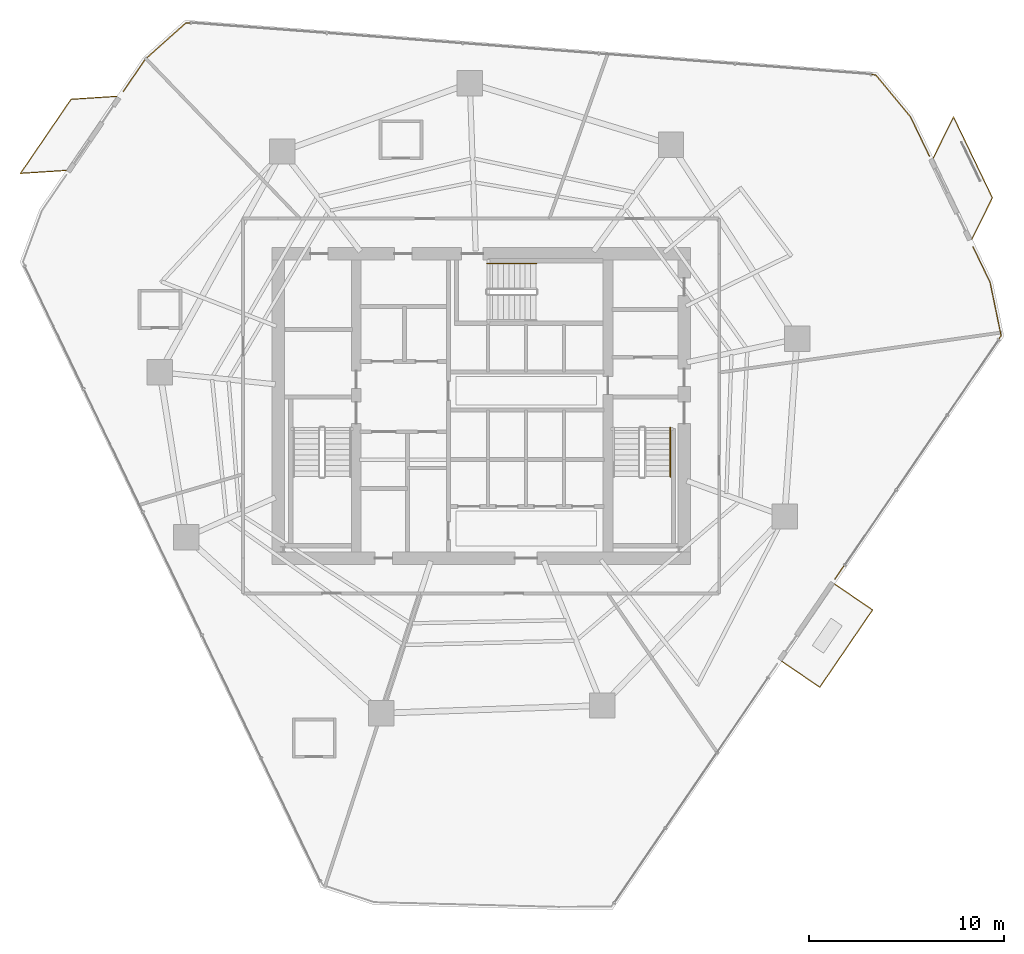
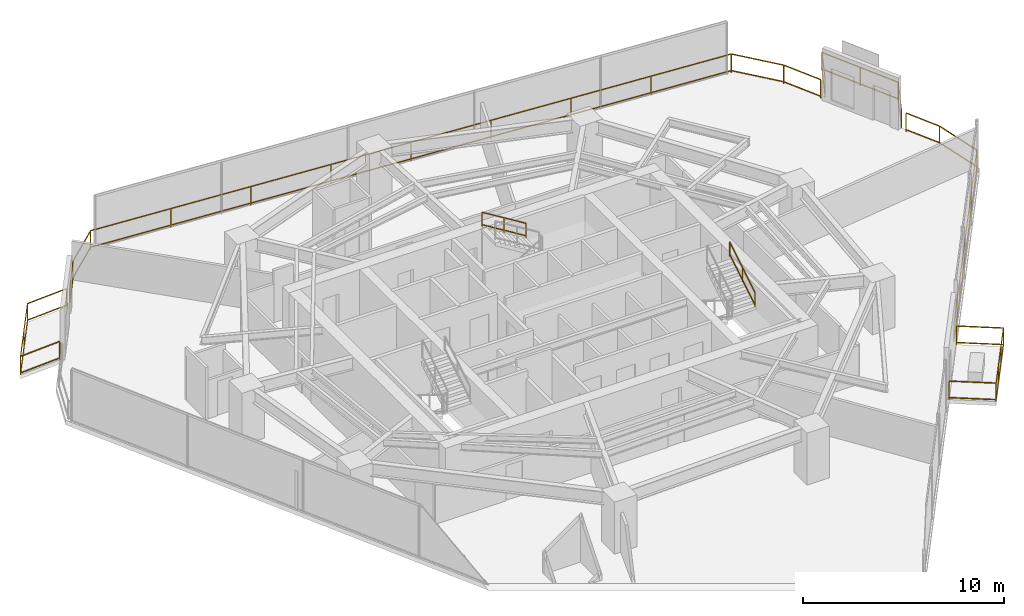
# One storey, part 30 of 30: 8 railings.
"""IFC4 building model written with IfcOpenShell, lengths in metres."""

from ifc_helpers import new_model, si_unit, direction, frame, origin, origin_2d, place, context, subcontext, project, spatial, rectangle, extrude, material, type_object, element, save


model = new_model("IFC4")

# Units and contexts
model_context = context("Model", 3, precision=1e-05, world=origin(), true_north=direction((0.0, 1.0)))
body_context = subcontext(model_context, "Body", "Model", "MODEL_VIEW")
ifc_project = project(units=[si_unit("LENGTHUNIT", "METRE"), si_unit("AREAUNIT", "SQUARE_METRE"), si_unit("VOLUMEUNIT", "CUBIC_METRE"), si_unit("PLANEANGLEUNIT", "RADIAN"), si_unit("MASSUNIT", "GRAM", prefix="KILO")], contexts=[model_context])

# Site, building, storey
site_placement = place(None, origin())
site = spatial("IfcSite", under=ifc_project, at=site_placement, CompositionType="ELEMENT")
building_placement = place(site_placement, origin())
building = spatial("IfcBuilding", under=site, at=building_placement, Name="Qarnah Convention Tower", CompositionType="ELEMENT")
storey_placement = place(building_placement, frame((0.0, 0.0, 51.14990234375)))
storey = spatial("IfcBuildingStorey", under=building, at=storey_placement, Name="L12", CompositionType="ELEMENT", Elevation=51.14990234375)

# Railings
ifc_material_1 = material(Name="Black anodised aluminium", Category="aluminium")
railing_type_1 = type_object("IfcRailingType", Name="RL-EXT-GUARD-1150", PredefinedType="GUARDRAIL", material=ifc_material_1)
railing_1_placement = place(storey_placement, frame((59.198974609375, 41.217041015625, 0.0)))
element("IfcRailing", 1, at=railing_1_placement, inside=storey, type_object=railing_type_1, Name="L12 slab-edge perimeter safety guard 01", PredefinedType="GUARDRAIL", context=body_context, shape_type="SweptSolid", body=[
    extrude(rectangle(XDim=0.048095703125, YDim=0.048095703125, at=origin_2d()), frame((0.0, 0.0, 1.1259765625), z_axis=(0.433374757304, -0.901213803563, 0.0), x_axis=(0.901213803563, 0.433374757304, 0.0)), (0.0, 0.0, 1.0), 2.2314453125),
    extrude(rectangle(XDim=0.048095703125, YDim=0.048095703125, at=origin_2d()), frame((0.0, 0.0, 0.1201171875), z_axis=(0.433374757304, -0.901213803563, 0.0), x_axis=(0.901213803563, 0.433374757304, 0.0)), (0.0, 0.0, 1.0), 2.2314453125),
    extrude(rectangle(XDim=0.0419921875, YDim=0.0419921875, at=origin_2d()), origin(), (0.0, 0.0, 1.0), 1.101806640625),
    extrude(rectangle(XDim=0.0419921875, YDim=0.0419921875, at=origin_2d()), frame((0.967041015625, -2.010986328125, 0.0)), (0.0, 0.0, 1.0), 1.101806640625),
])
railing_2_placement = place(storey_placement, frame((62.402099609375, 34.556884765625, 0.0)))
element("IfcRailing", 2, at=railing_2_placement, inside=storey, type_object=railing_type_1, Name="L12 slab-edge perimeter safety guard 02", PredefinedType="GUARDRAIL", context=body_context, shape_type="SweptSolid", body=[
    extrude(rectangle(XDim=0.048095703125, YDim=0.048095703125, at=origin_2d()), frame((0.0, 0.0, 1.1259765625), z_axis=(0.433328429261, -0.901236080277, 0.0), x_axis=(0.901236080277, 0.433328429261, 0.0)), (0.0, 0.0, 1.0), 2.019287109375),
    extrude(rectangle(XDim=0.048095703125, YDim=0.048095703125, at=origin_2d()), frame((0.0, 0.0, 0.1201171875), z_axis=(0.433328429261, -0.901236080277, 0.0), x_axis=(0.901236080277, 0.433328429261, 0.0)), (0.0, 0.0, 1.0), 2.019287109375),
    extrude(rectangle(XDim=0.048095703125, YDim=0.048095703125, at=origin_2d()), frame((0.875, -1.81982421875, 1.1259765625), z_axis=(0.202420473545, -0.979298704119, 0.0), x_axis=(0.979298704119, 0.202420473545, 0.0)), (0.0, 0.0, 1.0), 2.791015625),
    extrude(rectangle(XDim=0.048095703125, YDim=0.048095703125, at=origin_2d()), frame((0.875, -1.81982421875, 0.1201171875), z_axis=(0.202420473545, -0.979298704119, 0.0), x_axis=(0.979298704119, 0.202420473545, 0.0)), (0.0, 0.0, 1.0), 2.791015625),
    extrude(rectangle(XDim=0.048095703125, YDim=0.048095703125, at=origin_2d()), frame((1.43994140625, -4.552978515625, 1.1259765625), z_axis=(-0.563850021746, -0.825877202117, 0.0), x_axis=(0.825877202117, -0.563850021746, 0.0)), (0.0, 0.0, 1.0), 15.097900390625),
    extrude(rectangle(XDim=0.048095703125, YDim=0.048095703125, at=origin_2d()), frame((1.43994140625, -4.552978515625, 0.1201171875), z_axis=(-0.563850021746, -0.825877202117, 0.0), x_axis=(0.825877202117, -0.563850021746, 0.0)), (0.0, 0.0, 1.0), 15.097900390625),
    extrude(rectangle(XDim=0.0419921875, YDim=0.0419921875, at=origin_2d()), origin(), (0.0, 0.0, 1.0), 1.101806640625),
    extrude(rectangle(XDim=0.0419921875, YDim=0.0419921875, at=origin_2d()), frame((0.875, -1.81982421875, 0.0)), (0.0, 0.0, 1.0), 1.101806640625),
    extrude(rectangle(XDim=0.0419921875, YDim=0.0419921875, at=origin_2d()), frame((1.43994140625, -4.552978515625, 0.0)), (0.0, 0.0, 1.0), 1.101806640625),
    extrude(rectangle(XDim=0.0419921875, YDim=0.0419921875, at=origin_2d()), frame((-0.688232421875, -7.670166015625, 0.0)), (0.0, 0.0, 1.0), 1.101806640625),
    extrude(rectangle(XDim=0.0419921875, YDim=0.0419921875, at=origin_2d()), frame((-2.81640625, -10.78759765625, 0.0)), (0.0, 0.0, 1.0), 1.101806640625),
    extrude(rectangle(XDim=0.0419921875, YDim=0.0419921875, at=origin_2d()), frame((-4.94482421875, -13.90478515625, 0.0)), (0.0, 0.0, 1.0), 1.101806640625),
    extrude(rectangle(XDim=0.0419921875, YDim=0.0419921875, at=origin_2d()), frame((-7.072998046875, -17.02197265625, 0.0)), (0.0, 0.0, 1.0), 1.101806640625),
])
railing_3_placement = place(storey_placement, frame((18.860107421875, 42.510009765625, 0.0)))
element("IfcRailing", 3, at=railing_3_placement, inside=storey, type_object=railing_type_1, Name="L12 slab-edge perimeter safety guard 04", PredefinedType="GUARDRAIL", context=body_context, shape_type="SweptSolid", body=[
    extrude(rectangle(XDim=0.048095703125, YDim=0.048095703125, at=origin_2d()), frame((0.0, 0.0, 1.1259765625), z_axis=(0.563899317218, 0.82584354453, 0.0), x_axis=(-0.82584354453, 0.563899317218, 0.0)), (0.0, 0.0, 1.0), 2.019775390625),
    extrude(rectangle(XDim=0.048095703125, YDim=0.048095703125, at=origin_2d()), frame((0.0, 0.0, 0.1201171875), z_axis=(0.563899317218, 0.82584354453, 0.0), x_axis=(-0.82584354453, 0.563899317218, 0.0)), (0.0, 0.0, 1.0), 2.019775390625),
    extrude(rectangle(XDim=0.048095703125, YDim=0.048095703125, at=origin_2d()), frame((1.138916015625, 1.66796875, 1.1259765625), z_axis=(0.746781498679, 0.665069464967, 0.0), x_axis=(-0.665069464967, 0.746781498679, 0.0)), (0.0, 0.0, 1.0), 2.79052734375),
    extrude(rectangle(XDim=0.048095703125, YDim=0.048095703125, at=origin_2d()), frame((1.138916015625, 1.66796875, 0.1201171875), z_axis=(0.746781498679, 0.665069464967, 0.0), x_axis=(-0.665069464967, 0.746781498679, 0.0)), (0.0, 0.0, 1.0), 2.79052734375),
    extrude(rectangle(XDim=0.048095703125, YDim=0.048095703125, at=origin_2d()), frame((3.222900390625, 3.52392578125, 1.1259765625), z_axis=(0.997159553161, -0.075318162087, 0.0), x_axis=(0.075318162087, 0.997159553161, 0.0)), (0.0, 0.0, 1.0), 35.435546875),
    extrude(rectangle(XDim=0.048095703125, YDim=0.048095703125, at=origin_2d()), frame((3.222900390625, 3.52392578125, 0.1201171875), z_axis=(0.997159553161, -0.075318162087, 0.0), x_axis=(0.075318162087, 0.997159553161, 0.0)), (0.0, 0.0, 1.0), 35.435546875),
    extrude(rectangle(XDim=0.048095703125, YDim=0.048095703125, at=origin_2d()), frame((38.557861328125, 0.85498046875, 1.1259765625), z_axis=(0.638289082152, -0.769796757337, 0.0), x_axis=(0.769796757337, 0.638289082152, 0.0)), (0.0, 0.0, 1.0), 2.790283203125),
    extrude(rectangle(XDim=0.048095703125, YDim=0.048095703125, at=origin_2d()), frame((38.557861328125, 0.85498046875, 0.1201171875), z_axis=(0.638289082152, -0.769796757337, 0.0), x_axis=(0.769796757337, 0.638289082152, 0.0)), (0.0, 0.0, 1.0), 2.790283203125),
    extrude(rectangle(XDim=0.0419921875, YDim=0.0419921875, at=origin_2d()), origin(), (0.0, 0.0, 1.0), 1.101806640625),
    extrude(rectangle(XDim=0.0419921875, YDim=0.0419921875, at=origin_2d()), frame((1.138916015625, 1.66796875, 0.0)), (0.0, 0.0, 1.0), 1.101806640625),
    extrude(rectangle(XDim=0.0419921875, YDim=0.0419921875, at=origin_2d()), frame((3.222900390625, 3.52392578125, 0.0)), (0.0, 0.0, 1.0), 1.101806640625),
    extrude(rectangle(XDim=0.0419921875, YDim=0.0419921875, at=origin_2d()), frame((7.6396484375, 3.1904296875, 0.0)), (0.0, 0.0, 1.0), 1.101806640625),
    extrude(rectangle(XDim=0.0419921875, YDim=0.0419921875, at=origin_2d()), frame((12.056640625, 2.856689453125, 0.0)), (0.0, 0.0, 1.0), 1.101806640625),
    extrude(rectangle(XDim=0.0419921875, YDim=0.0419921875, at=origin_2d()), frame((16.4736328125, 2.52294921875, 0.0)), (0.0, 0.0, 1.0), 1.101806640625),
    extrude(rectangle(XDim=0.0419921875, YDim=0.0419921875, at=origin_2d()), frame((20.890380859375, 2.189453125, 0.0)), (0.0, 0.0, 1.0), 1.101806640625),
    extrude(rectangle(XDim=0.0419921875, YDim=0.0419921875, at=origin_2d()), frame((25.30712890625, 1.85595703125, 0.0)), (0.0, 0.0, 1.0), 1.101806640625),
    extrude(rectangle(XDim=0.0419921875, YDim=0.0419921875, at=origin_2d()), frame((29.72412109375, 1.522216796875, 0.0)), (0.0, 0.0, 1.0), 1.101806640625),
    extrude(rectangle(XDim=0.0419921875, YDim=0.0419921875, at=origin_2d()), frame((34.14111328125, 1.1884765625, 0.0)), (0.0, 0.0, 1.0), 1.101806640625),
    extrude(rectangle(XDim=0.0419921875, YDim=0.0419921875, at=origin_2d()), frame((38.557861328125, 0.85498046875, 0.0)), (0.0, 0.0, 1.0), 1.101806640625),
    extrude(rectangle(XDim=0.0419921875, YDim=0.0419921875, at=origin_2d()), frame((40.3388671875, -1.29296875, 0.0)), (0.0, 0.0, 1.0), 1.101806640625),
])
railing_4_placement = place(storey_placement, frame((60.363037109375, 39.10791015625, 0.0)))
element("IfcRailing", 4, at=railing_4_placement, inside=storey, type_object=railing_type_1, Name="L12 balcony safety guard BAL-L12-C1", PredefinedType="GUARDRAIL", context=body_context, shape_type="SweptSolid", body=[
    extrude(rectangle(XDim=0.048095703125, YDim=0.048095703125, at=origin_2d()), frame((0.0, 0.0, 1.1259765625), z_axis=(0.443465596274, 0.896291395095, 0.0), x_axis=(-0.896291395095, 0.443465596274, 0.0)), (0.0, 0.0, 1.0), 2.347412109375),
    extrude(rectangle(XDim=0.048095703125, YDim=0.048095703125, at=origin_2d()), frame((0.0, 0.0, 0.1201171875), z_axis=(0.443465596274, 0.896291395095, 0.0), x_axis=(-0.896291395095, 0.443465596274, 0.0)), (0.0, 0.0, 1.0), 2.347412109375),
    extrude(rectangle(XDim=0.048095703125, YDim=0.048095703125, at=origin_2d()), frame((1.041015625, 2.10400390625, 1.1259765625), z_axis=(0.433488433153, -0.901159130411, 0.0), x_axis=(0.901159130411, 0.433488433153, 0.0)), (0.0, 0.0, 1.0), 4.599609375),
    extrude(rectangle(XDim=0.048095703125, YDim=0.048095703125, at=origin_2d()), frame((1.041015625, 2.10400390625, 0.1201171875), z_axis=(0.433488433153, -0.901159130411, 0.0), x_axis=(0.901159130411, 0.433488433153, 0.0)), (0.0, 0.0, 1.0), 4.599609375),
    extrude(rectangle(XDim=0.048095703125, YDim=0.048095703125, at=origin_2d()), frame((3.034912109375, -2.041015625, 1.1259765625), z_axis=(-0.443300297439, -0.896373162411, 0.0), x_axis=(0.896373162411, -0.443300297439, 0.0)), (0.0, 0.0, 1.0), 2.348388671875),
    extrude(rectangle(XDim=0.048095703125, YDim=0.048095703125, at=origin_2d()), frame((3.034912109375, -2.041015625, 0.1201171875), z_axis=(-0.443300297439, -0.896373162411, 0.0), x_axis=(0.896373162411, -0.443300297439, 0.0)), (0.0, 0.0, 1.0), 2.348388671875),
    extrude(rectangle(XDim=0.0419921875, YDim=0.0419921875, at=origin_2d()), origin(), (0.0, 0.0, 1.0), 1.101806640625),
    extrude(rectangle(XDim=0.0419921875, YDim=0.0419921875, at=origin_2d()), frame((1.041015625, 2.10400390625, 0.0)), (0.0, 0.0, 1.0), 1.101806640625),
    extrude(rectangle(XDim=0.0419921875, YDim=0.0419921875, at=origin_2d()), frame((2.0380859375, 0.031494140625, 0.0)), (0.0, 0.0, 1.0), 1.101806640625),
    extrude(rectangle(XDim=0.0419921875, YDim=0.0419921875, at=origin_2d()), frame((3.034912109375, -2.041015625, 0.0)), (0.0, 0.0, 1.0), 1.101806640625),
    extrude(rectangle(XDim=0.0419921875, YDim=0.0419921875, at=origin_2d()), frame((1.993896484375, -4.14599609375, 0.0)), (0.0, 0.0, 1.0), 1.101806640625),
])
railing_5_placement = place(storey_placement, frame((15.93798828125, 38.468994140625, 0.0)))
element("IfcRailing", 5, at=railing_5_placement, inside=storey, type_object=railing_type_1, Name="L12 balcony safety guard BAL-L12-C2", PredefinedType="GUARDRAIL", context=body_context, shape_type="SweptSolid", body=[
    extrude(rectangle(XDim=0.048095703125, YDim=0.048095703125, at=origin_2d()), frame((0.0, 0.0, 1.1259765625), z_axis=(-0.997933060104, -0.064262022626, 0.0), x_axis=(0.064262022626, -0.997933060104, 0.0)), (0.0, 0.0, 1.0), 2.347900390625),
    extrude(rectangle(XDim=0.048095703125, YDim=0.048095703125, at=origin_2d()), frame((0.0, 0.0, 0.1201171875), z_axis=(-0.997933060104, -0.064262022626, 0.0), x_axis=(0.064262022626, -0.997933060104, 0.0)), (0.0, 0.0, 1.0), 2.347900390625),
    extrude(rectangle(XDim=0.048095703125, YDim=0.048095703125, at=origin_2d()), frame((-2.343017578125, -0.15087890625, 1.1259765625), z_axis=(0.563768279765, 0.825933003779, 0.0), x_axis=(-0.825933003779, 0.563768279765, 0.0)), (0.0, 0.0, 1.0), 4.599365234375),
    extrude(rectangle(XDim=0.048095703125, YDim=0.048095703125, at=origin_2d()), frame((-2.343017578125, -0.15087890625, 0.1201171875), z_axis=(0.563768279765, 0.825933003779, 0.0), x_axis=(-0.825933003779, 0.563768279765, 0.0)), (0.0, 0.0, 1.0), 4.599365234375),
    extrude(rectangle(XDim=0.048095703125, YDim=0.048095703125, at=origin_2d()), frame((0.25, 3.64794921875, 1.1259765625), z_axis=(0.997926386374, 0.064365576031, 0.0), x_axis=(-0.064365576031, 0.997926386374, 0.0)), (0.0, 0.0, 1.0), 2.347900390625),
    extrude(rectangle(XDim=0.048095703125, YDim=0.048095703125, at=origin_2d()), frame((0.25, 3.64794921875, 0.1201171875), z_axis=(0.997926386374, 0.064365576031, 0.0), x_axis=(-0.064365576031, 0.997926386374, 0.0)), (0.0, 0.0, 1.0), 2.347900390625),
    extrude(rectangle(XDim=0.0419921875, YDim=0.0419921875, at=origin_2d()), origin(), (0.0, 0.0, 1.0), 1.101806640625),
    extrude(rectangle(XDim=0.0419921875, YDim=0.0419921875, at=origin_2d()), frame((-2.343017578125, -0.15087890625, 0.0)), (0.0, 0.0, 1.0), 1.101806640625),
    extrude(rectangle(XDim=0.0419921875, YDim=0.0419921875, at=origin_2d()), frame((-1.04638671875, 1.74853515625, 0.0)), (0.0, 0.0, 1.0), 1.101806640625),
    extrude(rectangle(XDim=0.0419921875, YDim=0.0419921875, at=origin_2d()), frame((0.25, 3.64794921875, 0.0)), (0.0, 0.0, 1.0), 1.101806640625),
    extrude(rectangle(XDim=0.0419921875, YDim=0.0419921875, at=origin_2d()), frame((2.593017578125, 3.799072265625, 0.0)), (0.0, 0.0, 1.0), 1.101806640625),
])
railing_6_placement = place(storey_placement, frame((55.318115234375, 17.27587890625, 0.0)))
element("IfcRailing", 6, at=railing_6_placement, inside=storey, type_object=railing_type_1, Name="L12 balcony safety guard VN-L12", PredefinedType="GUARDRAIL", context=body_context, shape_type="SweptSolid", body=[
    extrude(rectangle(XDim=0.048095703125, YDim=0.048095703125, at=origin_2d()), frame((0.0, 0.0, 1.1259765625), z_axis=(0.825910712573, -0.563800935488, 0.0), x_axis=(0.563800935488, 0.825910712573, 0.0)), (0.0, 0.0, 1.0), 2.35009765625),
    extrude(rectangle(XDim=0.048095703125, YDim=0.048095703125, at=origin_2d()), frame((0.0, 0.0, 0.1201171875), z_axis=(0.825910712573, -0.563800935488, 0.0), x_axis=(0.563800935488, 0.825910712573, 0.0)), (0.0, 0.0, 1.0), 2.35009765625),
    extrude(rectangle(XDim=0.048095703125, YDim=0.048095703125, at=origin_2d()), frame((1.94091796875, -1.324951171875, 1.1259765625), z_axis=(-0.563961646158, -0.825800981874, 0.0), x_axis=(0.825800981874, -0.563961646158, 0.0)), (0.0, 0.0, 1.0), 4.800048828125),
    extrude(rectangle(XDim=0.048095703125, YDim=0.048095703125, at=origin_2d()), frame((1.94091796875, -1.324951171875, 0.1201171875), z_axis=(-0.563961646158, -0.825800981874, 0.0), x_axis=(0.825800981874, -0.563961646158, 0.0)), (0.0, 0.0, 1.0), 4.800048828125),
    extrude(rectangle(XDim=0.048095703125, YDim=0.048095703125, at=origin_2d()), frame((-0.76611328125, -5.288818359375, 1.1259765625), z_axis=(-0.825778552229, 0.563994488163, 0.0), x_axis=(-0.563994488163, -0.825778552229, 0.0)), (0.0, 0.0, 1.0), 2.34912109375),
    extrude(rectangle(XDim=0.048095703125, YDim=0.048095703125, at=origin_2d()), frame((-0.76611328125, -5.288818359375, 0.1201171875), z_axis=(-0.825778552229, 0.563994488163, 0.0), x_axis=(-0.563994488163, -0.825778552229, 0.0)), (0.0, 0.0, 1.0), 2.34912109375),
    extrude(rectangle(XDim=0.0419921875, YDim=0.0419921875, at=origin_2d()), origin(), (0.0, 0.0, 1.0), 1.101806640625),
    extrude(rectangle(XDim=0.0419921875, YDim=0.0419921875, at=origin_2d()), frame((1.94091796875, -1.324951171875, 0.0)), (0.0, 0.0, 1.0), 1.101806640625),
    extrude(rectangle(XDim=0.0419921875, YDim=0.0419921875, at=origin_2d()), frame((1.03857421875, -2.646240234375, 0.0)), (0.0, 0.0, 1.0), 1.101806640625),
    extrude(rectangle(XDim=0.0419921875, YDim=0.0419921875, at=origin_2d()), frame((0.13623046875, -3.967529296875, 0.0)), (0.0, 0.0, 1.0), 1.101806640625),
    extrude(rectangle(XDim=0.0419921875, YDim=0.0419921875, at=origin_2d()), frame((-0.76611328125, -5.288818359375, 0.0)), (0.0, 0.0, 1.0), 1.101806640625),
    extrude(rectangle(XDim=0.0419921875, YDim=0.0419921875, at=origin_2d()), frame((-2.7060546875, -3.9638671875, 0.0)), (0.0, 0.0, 1.0), 1.101806640625),
])
ifc_material_2 = material(Name="Structural steel S355JR", Category="steel")
railing_type_2 = type_object("IfcRailingType", Name="RL-STAIR-HAND-900", PredefinedType="HANDRAIL", material=ifc_material_2)
railing_7_placement = place(storey_placement, frame((46.89990234375, 22.780029296875, 1.897705078125)))
element("IfcRailing", 7, at=railing_7_placement, inside=storey, type_object=railing_type_2, Name="L12 ST-2 stair handrail 2", PredefinedType="HANDRAIL", context=body_context, shape_type="SweptSolid", body=[
    extrude(rectangle(XDim=0.048095703125, YDim=0.048095703125, at=origin_2d()), frame((0.0, 0.0, 0.8759765625), z_axis=(0.0, 0.851400495292, 0.524516154772), x_axis=(-1.0, 0.0, 0.0)), (0.0, 0.0, 1.0), 2.9599609375),
    extrude(rectangle(XDim=0.048095703125, YDim=0.048095703125, at=origin_2d()), frame((0.0, 0.0, 0.1201171875), z_axis=(0.0, 0.851400495292, 0.524516154772), x_axis=(-1.0, 0.0, 0.0)), (0.0, 0.0, 1.0), 2.9599609375),
    extrude(rectangle(XDim=0.0419921875, YDim=0.0419921875, at=origin_2d()), origin(), (0.0, 0.0, 1.0), 0.851806640625),
    extrude(rectangle(XDim=0.0419921875, YDim=0.0419921875, at=origin_2d()), frame((0.0, 1.260009765625, 0.7763671875)), (0.0, 0.0, 1.0), 0.851806640625),
    extrude(rectangle(XDim=0.0419921875, YDim=0.0419921875, at=origin_2d()), frame((0.0, 2.52001953125, 1.552490234375)), (0.0, 0.0, 1.0), 0.851806640625),
])
railing_8_placement = place(storey_placement, frame((40.02001953125, 33.699951171875, 1.897705078125)))
element("IfcRailing", 8, at=railing_8_placement, inside=storey, type_object=railing_type_2, Name="L12 ST-3 stair handrail 2", PredefinedType="HANDRAIL", context=body_context, shape_type="SweptSolid", body=[
    extrude(rectangle(XDim=0.048095703125, YDim=0.048095703125, at=origin_2d()), frame((0.0, 0.0, 0.8759765625), z_axis=(-0.851400495292, 0.0, 0.524516154772), x_axis=(0.0, -1.0, 0.0)), (0.0, 0.0, 1.0), 2.9599609375),
    extrude(rectangle(XDim=0.048095703125, YDim=0.048095703125, at=origin_2d()), frame((0.0, 0.0, 0.1201171875), z_axis=(-0.851400495292, 0.0, 0.524516154772), x_axis=(0.0, -1.0, 0.0)), (0.0, 0.0, 1.0), 2.9599609375),
    extrude(rectangle(XDim=0.0419921875, YDim=0.0419921875, at=origin_2d()), origin(), (0.0, 0.0, 1.0), 0.851806640625),
    extrude(rectangle(XDim=0.0419921875, YDim=0.0419921875, at=origin_2d()), frame((-1.260009765625, 0.0, 0.7763671875)), (0.0, 0.0, 1.0), 0.851806640625),
    extrude(rectangle(XDim=0.0419921875, YDim=0.0419921875, at=origin_2d()), frame((-2.52001953125, 0.0, 1.552490234375)), (0.0, 0.0, 1.0), 0.851806640625),
])

save(model, "model.ifc")
